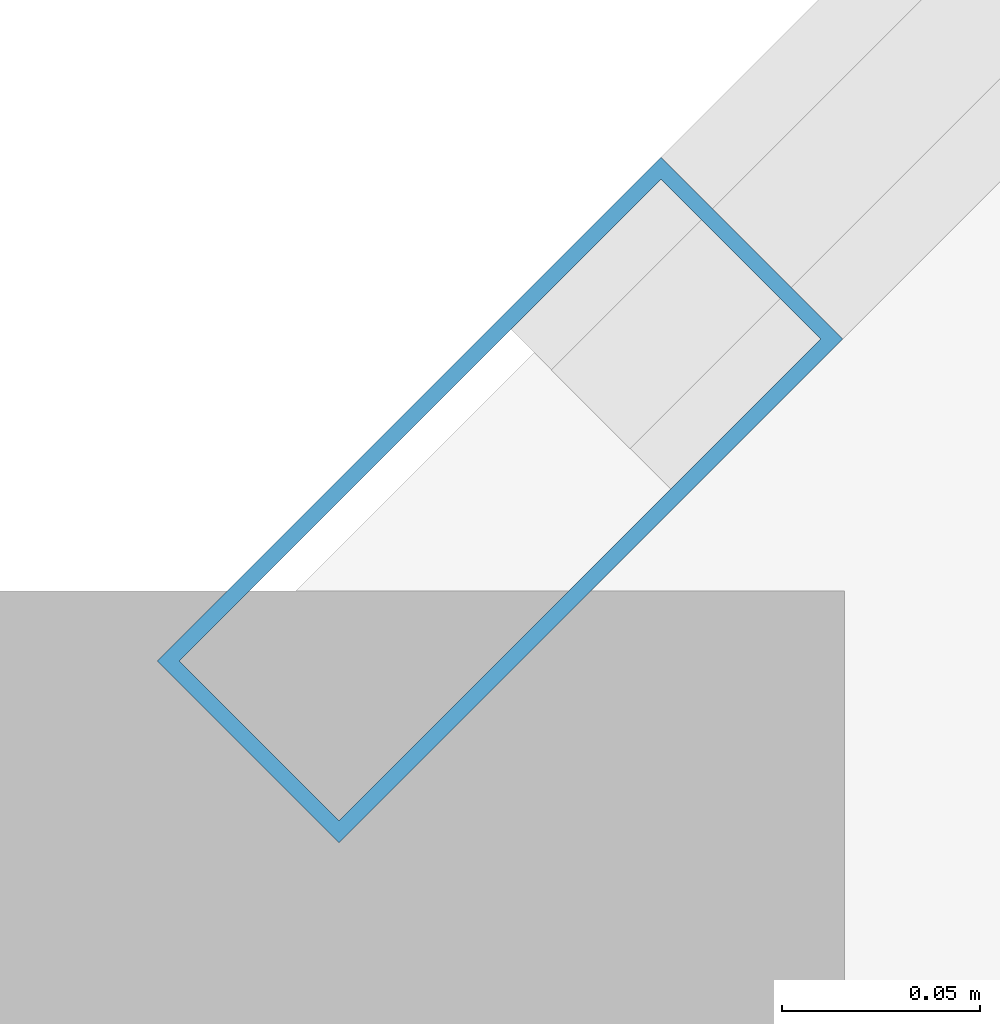
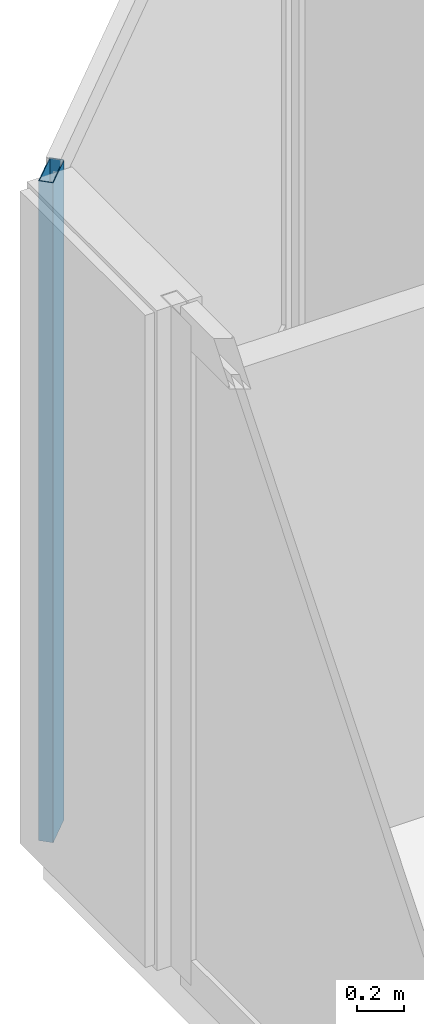
# One storey, part 5 of 28: 1 member, 1 element without a shape of its own.
"""IFC4 building model written with IfcOpenShell, lengths in metres."""

from ifc_helpers import new_model, si_unit, direction, frame, origin, origin_2d, place, context, subcontext, project, spatial, hollow_rectangle, extrude, material, layer, layer_set, material_profile, profile_set, type_object, element, aggregate, save


model = new_model("IFC4")

# Units and contexts
model_context = context("Model", 3, precision=1e-05, world=origin(), true_north=direction((0.0, 1.0)))
body_context = subcontext(model_context, "Body", "Model", "MODEL_VIEW")
ifc_project = project(units=[si_unit("LENGTHUNIT", "METRE"), si_unit("AREAUNIT", "SQUARE_METRE"), si_unit("VOLUMEUNIT", "CUBIC_METRE"), si_unit("PLANEANGLEUNIT", "RADIAN"), si_unit("MASSUNIT", "GRAM", prefix="KILO")], contexts=[model_context])

# Site, building, storey
site_placement = place(None, origin())
site = spatial("IfcSite", under=ifc_project, at=site_placement, CompositionType="ELEMENT")
building_placement = place(site_placement, origin())
building = spatial("IfcBuilding", under=site, at=building_placement, Name="Tanjung Sevakor Pilgrim Tower", CompositionType="ELEMENT")
storey_placement = place(building_placement, frame((0.0, 0.0, 249.81005859375)))
storey = spatial("IfcBuildingStorey", under=building, at=storey_placement, Name="L70", CompositionType="ELEMENT", Elevation=249.81005859375)

# Curtain wall, member
ifc_material_1 = material(Name="Aluminium 6063-T6 and Low-E Glass", Category="aluminium")
ifc_layer = layer(ifc_material_1, 0.179931640625)
ifc_layer_set = layer_set([ifc_layer], Name="CW-SYS-CHAM")
curtain_wall_type = type_object("IfcCurtainWallType", Name="CW-SYS-CHAM", PredefinedType="NOTDEFINED", material=ifc_layer_set)
curtain_wall_placement = place(storey_placement, origin())
curtain_wall = element("IfcCurtainWall", 1, at=curtain_wall_placement, inside=storey, type_object=curtain_wall_type, Name="L70 Curtain Wall CW-CHM-L70-WEST-5", PredefinedType="NOTDEFINED")
ifc_material_2 = material(Name="Aluminium 6063-T6", Category="aluminium")
ifc_material_profile = material_profile(ifc_material_2, hollow_rectangle(XDim=0.06494140625, YDim=0.179931640625, WallThickness=0.00390625, at=origin_2d()))
ifc_profile_set = profile_set([ifc_material_profile], Name="Aluminium 6063-T6")
member_type = type_object("IfcMemberType", Name="TYPE-CWM-1", PredefinedType="MULLION", material=ifc_profile_set)
member_placement = place(storey_placement, frame((22.133056640625, 43.577392578125, 0.0), z_axis=(0.0, 0.0, 1.0), x_axis=(0.707106781187, -0.707106781187, 0.0)))
member = element("IfcMember", 2, at=member_placement, type_object=member_type, Name="CW-CHM mullion 2", PredefinedType="MULLION", context=body_context, shape_type="SweptSolid", body=[
    extrude(hollow_rectangle(XDim=0.06494140625, YDim=0.179931640625, WallThickness=0.00390625, at=origin_2d()), origin(), (0.0, 0.0, 1.0), 3.409912109375),
])
aggregate(curtain_wall, [member])

save(model, "model.ifc")
